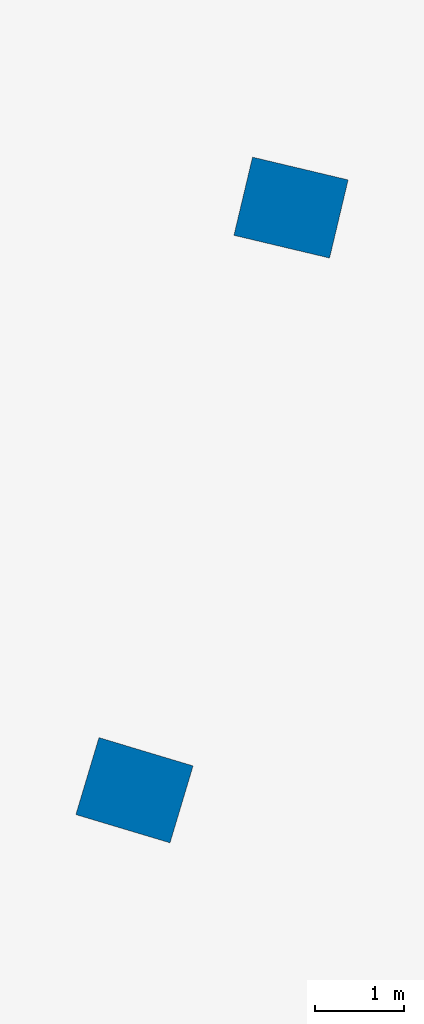
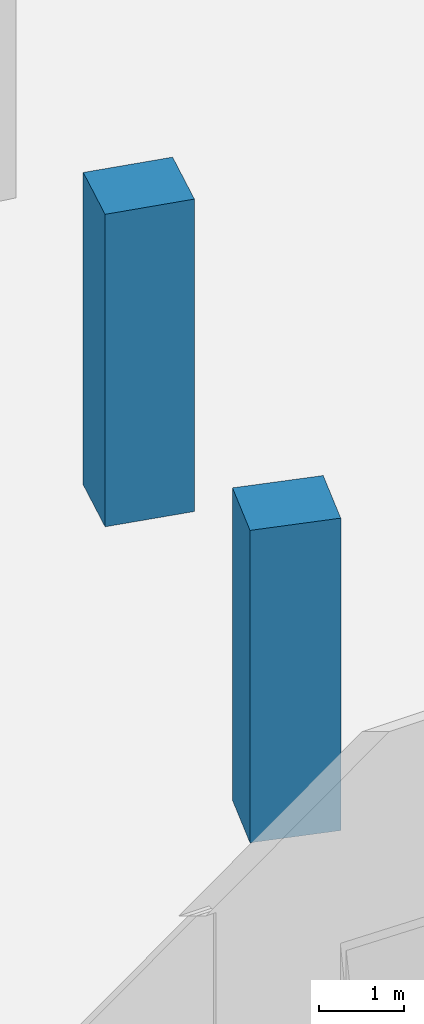
# One storey, part 3 of 19: 2 columns.
"""IFC4 building model written with IfcOpenShell, lengths in metres."""

import ifcopenshell
import ifcopenshell.guid

model = None  # the IFC model being written
_history = None  # IfcOwnerHistory: only IFC2X3 demands one
_inside = {}  # id of a spatial element -> (the spatial element, [elements in it])
_under = {}  # id of a project, library or spatial element -> (it, [spatial elements below it])
_declared = {}  # id of a project -> (the project, [libraries it declares])
_typed = {}  # id of a type object -> (the type object, [elements of that type])
_made_of = {}  # id of a material, layer set ... -> (it, [elements and type objects made of it])


def new_model(schema):
    """Start an empty IFC model of exactly this schema.

    Asked for "IFC4X3", IfcOpenShell would pick the latest addendum, in which some entities
    have other attributes; the version numbers below select the first issue.
    IFC2X3 requires an IfcOwnerHistory on every rooted entity: one is made here for all.
    """
    global model, _history
    if schema == "IFC4X3":
        model = ifcopenshell.file(schema_version=(4, 3, 0, 0))
    else:
        model = ifcopenshell.file(schema=schema)
    _inside.clear()
    _under.clear()
    _declared.clear()
    _typed.clear()
    _made_of.clear()
    _history = None
    if model.schema == "IFC2X3":
        org = make("IfcOrganization", Name="unknown")
        user = make(
            "IfcPersonAndOrganization",
            ThePerson=make("IfcPerson", FamilyName="unknown"),
            TheOrganization=org,
        )
        app = make(
            "IfcApplication",
            ApplicationDeveloper=org,
            Version="unknown",
            ApplicationFullName="unknown",
            ApplicationIdentifier="unknown",
        )
        _history = make(
            "IfcOwnerHistory",
            OwningUser=user,
            OwningApplication=app,
            ChangeAction="ADDED",
            CreationDate=0,
        )
    return model


def make(cls, **values):
    """One entity of the class cls with the attributes given. An attribute that is None is left unset."""
    return model.create_entity(
        cls, **{name: value for name, value in values.items() if value is not None}
    )


def rooted(cls, **values):
    """An entity with a GlobalId (a new one), such as an element, a storey or a relation."""
    return make(cls, GlobalId=ifcopenshell.guid.new(), OwnerHistory=_history, **values)


def si_unit(unit_type, name, prefix=None):
    """IfcSIUnit, for example si_unit("LENGTHUNIT", "METRE", prefix="MILLI")."""
    return make("IfcSIUnit", UnitType=unit_type, Prefix=prefix, Name=name)


def assignment(units):
    """IfcUnitAssignment: the units of a project."""
    return None if units is None else make("IfcUnitAssignment", Units=units)


def point(xyz):
    """IfcCartesianPoint."""
    return None if xyz is None else make("IfcCartesianPoint", Coordinates=xyz)


def direction(xyz):
    """IfcDirection."""
    return None if xyz is None else make("IfcDirection", DirectionRatios=xyz)


def frame(location, z_axis=None, x_axis=None):
    """IfcAxis2Placement3D, a coordinate frame: its origin and axes. An axis left out is left unset."""
    return make(
        "IfcAxis2Placement3D",
        Location=point(location),
        Axis=direction(z_axis),
        RefDirection=direction(x_axis),
    )


def frame_2d(location, x_axis=None):
    """IfcAxis2Placement2D, a coordinate frame in the plane: its origin and x axis."""
    return make(
        "IfcAxis2Placement2D", Location=point(location), RefDirection=direction(x_axis)
    )


def origin():
    """The frame at (0, 0, 0) with its axes left unset."""
    return frame((0.0, 0.0, 0.0))


def origin_2d():
    """The frame at (0, 0) in the plane with its x axis left unset."""
    return frame_2d((0.0, 0.0))


def place(relative_to, where):
    """IfcLocalPlacement: puts the frame where relative to a parent placement (None: the world)."""
    return make(
        "IfcLocalPlacement", PlacementRelTo=relative_to, RelativePlacement=where
    )


def context(
    kind, dimensions, precision=None, world=None, true_north=None, identifier=None
):
    """IfcGeometricRepresentationContext, for example the 3D "Model" context."""
    return make(
        "IfcGeometricRepresentationContext",
        ContextIdentifier=identifier,
        ContextType=kind,
        CoordinateSpaceDimension=dimensions,
        Precision=precision,
        WorldCoordinateSystem=world,
        TrueNorth=true_north,
    )


def subcontext(parent, identifier, kind, view, scale=None):
    """IfcGeometricRepresentationSubContext, for example "Body" below "Model"."""
    return make(
        "IfcGeometricRepresentationSubContext",
        ContextIdentifier=identifier,
        ContextType=kind,
        ParentContext=parent,
        TargetScale=scale,
        TargetView=view,
    )


def project(units=None, contexts=None):
    """IfcProject with its units and contexts."""
    return rooted(
        "IfcProject",
        Name="project",
        RepresentationContexts=contexts,
        UnitsInContext=assignment(units),
    )


def spatial(cls, under=None, at=None, **own):
    """A site, building, storey or space (cls), placed at a placement, below another one or the project."""
    s = rooted(cls, ObjectPlacement=at, **own)
    if under is not None:
        _under.setdefault(under.id(), (under, []))[1].append(s)
    return s


def profile(cls, at=None, kind="AREA", **sizes):
    """A parametric profile (cls). Its sizes go by their IFC names, for example OverallWidth=200.0."""
    return make(cls, ProfileType=kind, Position=at, **sizes)


def rectangle(**sizes):
    """IfcRectangleProfileDef."""
    return profile("IfcRectangleProfileDef", **sizes)


def extrude(swept, where, along, depth):
    """IfcExtrudedAreaSolid: the profile swept, set in the frame where, extruded along a direction by depth."""
    return make(
        "IfcExtrudedAreaSolid",
        SweptArea=swept,
        Position=where,
        ExtrudedDirection=direction(along),
        Depth=depth,
    )


def shape(context_of_items, identifier, shape_type, items):
    """IfcShapeRepresentation: the items that make up one representation, for example the "Body"."""
    return make(
        "IfcShapeRepresentation",
        ContextOfItems=context_of_items,
        RepresentationIdentifier=identifier,
        RepresentationType=shape_type,
        Items=items,
    )


def material(Name=None, Category=None):
    """IfcMaterial."""
    return make("IfcMaterial", Name=Name, Category=Category)


def material_profile(
    of_material, cross_section, Name=None, Category=None, Priority=None
):
    """IfcMaterialProfile: a cross section and its material."""
    return make(
        "IfcMaterialProfile",
        Name=Name,
        Material=of_material,
        Profile=cross_section,
        Priority=Priority,
        Category=Category,
    )


def profile_set(profiles, Name=None, composite=None):
    """IfcMaterialProfileSet."""
    return make(
        "IfcMaterialProfileSet",
        Name=Name,
        MaterialProfiles=profiles,
        CompositeProfile=composite,
    )


def made_of(thing, what):
    """Note that an element or type object is made of a material, layer set ...; save() writes the relation."""
    if what is not None:
        _made_of.setdefault(what.id(), (what, []))[1].append(thing)
    return thing


def type_object(cls, material=None, **own):
    """A type object (cls), such as IfcWallType, which elements share."""
    return made_of(rooted(cls, **own), material)


def element(
    cls,
    number,
    at=None,
    inside=None,
    cuts=None,
    type_object=None,
    material=None,
    context=None,
    identifier="Body",
    shape_type=None,
    held_by="IfcProductDefinitionShape",
    body=None,
    shapes=None,
    **own,
):
    """One element of the class cls, such as IfcWall. Its Tag is "e" and its number.

    at: its placement. inside: the storey or other place that contains it. cuts: it is an
    opening in that element (IfcRelVoidsElement). A single representation is given by context,
    identifier, shape_type and body (its items); several are given by shapes. held_by: the class
    of the entity that holds the representations. save() writes the other relations.
    """
    e = rooted(cls, Tag="e%d" % number, ObjectPlacement=at, **own)
    if body is not None:
        shapes = [shape(context, identifier, shape_type, body)]
    if shapes is not None:
        e.Representation = make(held_by, Representations=shapes)
    if inside is not None:
        _inside.setdefault(inside.id(), (inside, []))[1].append(e)
    if cuts is not None:
        rooted(
            "IfcRelVoidsElement", RelatingBuildingElement=cuts, RelatedOpeningElement=e
        )
    if type_object is not None:
        _typed.setdefault(type_object.id(), (type_object, []))[1].append(e)
    return made_of(e, material)


def aggregate(whole, parts):
    """IfcRelAggregates: a whole, such as a stair, and the parts it consists of."""
    return rooted("IfcRelAggregates", RelatingObject=whole, RelatedObjects=parts)


def save(model, path):
    """Write the relations noted so far, then the file.

    IfcRelAggregates (storeys below a building ...), IfcRelContainedInSpatialStructure (elements
    in a storey), IfcRelDefinesByType, IfcRelAssociatesMaterial and IfcRelDeclares: one each for
    every whole, place, type object, material and project.
    """
    for whole, parts in _under.values():
        aggregate(whole, parts)
    for where, things in _inside.values():
        rooted(
            "IfcRelContainedInSpatialStructure",
            RelatedElements=things,
            RelatingStructure=where,
        )
    for kind, things in _typed.values():
        rooted("IfcRelDefinesByType", RelatedObjects=things, RelatingType=kind)
    for what, things in _made_of.values():
        rooted("IfcRelAssociatesMaterial", RelatedObjects=things, RelatingMaterial=what)
    for by, libraries in _declared.values():
        rooted("IfcRelDeclares", RelatingContext=by, RelatedDefinitions=libraries)
    model.write(path)


model = new_model("IFC4")

# Units and contexts
model_context = context("Model", 3, precision=1e-05, world=origin(), true_north=direction((0.0, 1.0)))
body_context = subcontext(model_context, "Body", "Model", "MODEL_VIEW")
ifc_project = project(units=[si_unit("LENGTHUNIT", "METRE"), si_unit("AREAUNIT", "SQUARE_METRE"), si_unit("VOLUMEUNIT", "CUBIC_METRE"), si_unit("PLANEANGLEUNIT", "RADIAN"), si_unit("MASSUNIT", "GRAM", prefix="KILO")], contexts=[model_context])

# Site, building, storey
site_placement = place(None, origin())
site = spatial("IfcSite", under=ifc_project, at=site_placement, CompositionType="ELEMENT")
building_placement = place(site_placement, origin())
building = spatial("IfcBuilding", under=site, at=building_placement, Name="Alderwake Tower", CompositionType="ELEMENT")
storey_placement = place(building_placement, frame((0.0, 0.0, 27.5)))
storey = spatial("IfcBuildingStorey", under=building, at=storey_placement, Name="L05", CompositionType="ELEMENT", Elevation=27.5)

# Columns
ifc_material = material(Name="Concrete C70/85", Category="concrete")
ifc_material_profile = material_profile(ifc_material, rectangle(XDim=0.89990234375, YDim=1.10009765625, at=origin_2d()), Name="RC 1100X900")
ifc_profile_set = profile_set([ifc_material_profile], Name="Concrete C70/85")
column_type = type_object("IfcColumnType", Name="Interior column Z1", PredefinedType="COLUMN", material=ifc_profile_set)
for number, where, z_axis, x_axis, name in (
    (1, (30.9091796875, 27.701904296875, 0.0), (0.0, 0.0, 1.0), (0.287549418125, 0.957765802342, 0.0), "Column R02-C2"),
    (2, (32.661865234375, 34.224609375, 0.0), (0.0, 0.0, 1.0), (0.231221547198, 0.972901123502, 0.0), "Column R03-C2"),
):
    element("IfcColumn", number, at=place(storey_placement, frame(where, z_axis=z_axis, x_axis=x_axis)), inside=storey, type_object=column_type, Name=name, PredefinedType="COLUMN", context=body_context, shape_type="SweptSolid", body=[
        extrude(rectangle(XDim=0.89990234375, YDim=1.10009765625, at=origin_2d()), origin(), (0.0, 0.0, 1.0), 4.5),
    ])

save(model, "model.ifc")
